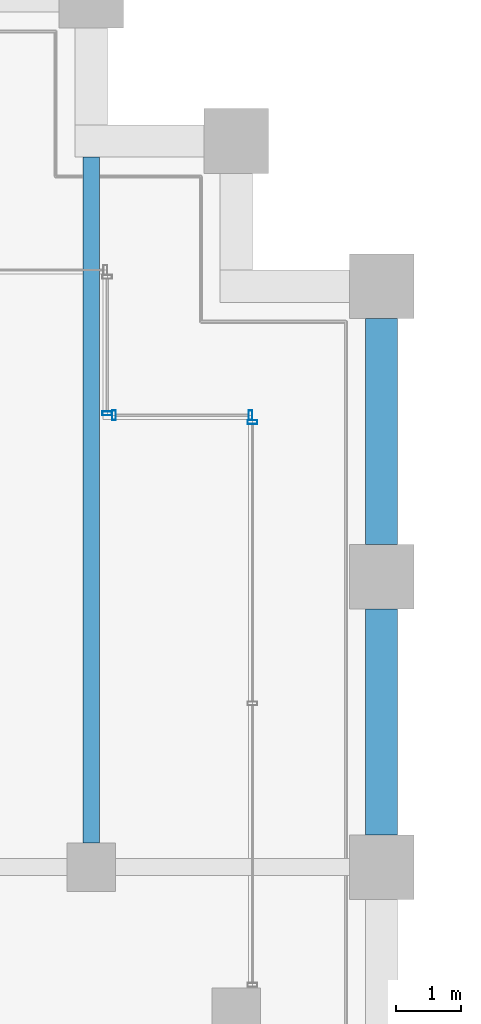
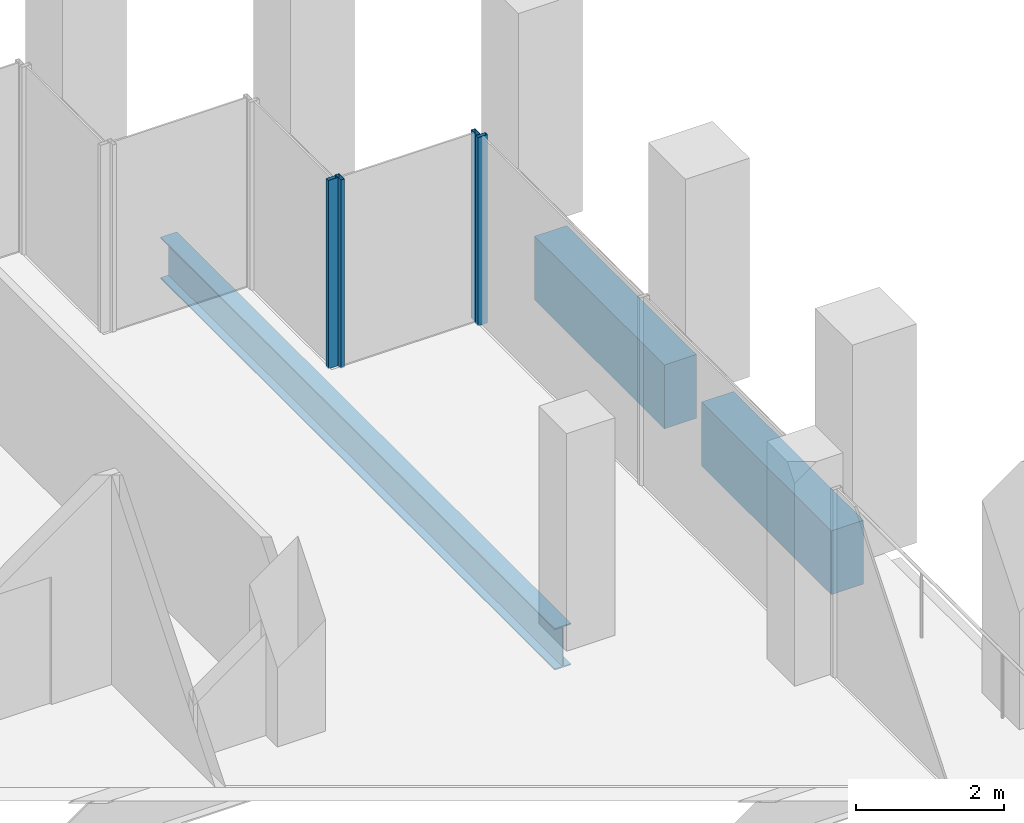
# One storey, part 25 of 46: 4 members, 3 beams, 3 elements without a shape of their own.
"""IFC4 building model written with IfcOpenShell, lengths in metres."""

from ifc_helpers import new_model, si_unit, direction, frame, origin, origin_2d, place, context, subcontext, project, spatial, rectangle, hollow_rectangle, i_section, extrude, material, material_profile, profile_set, type_object, element, aggregate, save


model = new_model("IFC4")

# Units and contexts
model_context = context("Model", 3, precision=1e-05, world=origin(), true_north=direction((0.0, 1.0)))
body_context = subcontext(model_context, "Body", "Model", "MODEL_VIEW")
ifc_project = project(units=[si_unit("LENGTHUNIT", "METRE"), si_unit("AREAUNIT", "SQUARE_METRE"), si_unit("VOLUMEUNIT", "CUBIC_METRE"), si_unit("PLANEANGLEUNIT", "RADIAN"), si_unit("MASSUNIT", "GRAM", prefix="KILO")], contexts=[model_context])

# Site, building, storey
site_placement = place(None, origin())
site = spatial("IfcSite", under=ifc_project, at=site_placement, CompositionType="ELEMENT")
building_placement = place(site_placement, origin())
building = spatial("IfcBuilding", under=site, at=building_placement, Name="Altepetl Exchange Towers", CompositionType="ELEMENT")
storey_placement = place(building_placement, frame((0.0, 0.0, 120.800048828125)))
storey = spatial("IfcBuildingStorey", under=building, at=storey_placement, Name="L29", CompositionType="ELEMENT", Elevation=120.800048828125)

# Beam
ifc_material_1 = material(Name="Steel S355", Category="steel")
ifc_material_profile_1 = material_profile(ifc_material_1, i_section(OverallWidth=0.25390625, OverallDepth=0.68408203125, WebThickness=0.012451171875, FlangeThickness=0.018798828125, at=origin_2d()), Name="W27X94")
ifc_profile_set_1 = profile_set([ifc_material_profile_1], Name="Steel S355")
beam_type_1 = type_object("IfcBeamType", Name="Floor beam W27X94", PredefinedType="BEAM", material=ifc_profile_set_1)
beam_placement = place(storey_placement, frame((67.5, 58.875, -0.491943359375), z_axis=(0.0, 1.0, 0.0), x_axis=(-1.0, 0.0, 0.0)))
element("IfcBeam", 1, at=beam_placement, inside=storey, type_object=beam_type_1, Name="bm:A:L29:005", PredefinedType="BEAM", context=body_context, shape_type="SweptSolid", body=[
    extrude(i_section(OverallWidth=0.25390625, OverallDepth=0.68408203125, WebThickness=0.012451171875, FlangeThickness=0.018798828125, at=origin_2d()), origin(), (0.0, 0.0, 1.0), 10.625),
])

# Curtain wall, member
ifc_material_2 = material(Name="Aluminium 6063-T6 glazing", Category="aluminium")
curtain_wall_type = type_object("IfcCurtainWallType", Name="Loggia glazing system", PredefinedType="NOTDEFINED", material=ifc_material_2)
curtain_wall_1_placement = place(storey_placement, origin())
curtain_wall_1 = element("IfcCurtainWall", 2, at=curtain_wall_1_placement, inside=storey, type_object=curtain_wall_type, Name="CW1 run", PredefinedType="NOTDEFINED")
ifc_material_3 = material(Name="Aluminium 6063-T6", Category="aluminium")
ifc_material_profile_2 = material_profile(ifc_material_3, hollow_rectangle(XDim=0.06005859375, YDim=0.14990234375, WallThickness=0.0029296875, at=origin_2d()), Name="Mullion 60x150 aluminium")
ifc_profile_set_2 = profile_set([ifc_material_profile_2], Name="Aluminium 6063-T6")
member_type = type_object("IfcMemberType", Name="Mullion 60x150 aluminium", PredefinedType="MULLION", material=ifc_profile_set_2)
member_1_placement = place(storey_placement, frame((70.0, 65.39501953125, 0.0), z_axis=(0.0, 0.0, 1.0), x_axis=(0.0, 1.0, 0.0)))
member_1 = element("IfcMember", 3, at=member_1_placement, type_object=member_type, Name="MU1 mullion", PredefinedType="MULLION", context=body_context, shape_type="SweptSolid", body=[
    extrude(hollow_rectangle(XDim=0.06005859375, YDim=0.14990234375, WallThickness=0.0029296875, at=origin_2d()), origin(), (0.0, 0.0, 1.0), 3.099853515625),
])
aggregate(curtain_wall_1, [member_1])

# Curtain wall, members
curtain_wall_2_placement = place(storey_placement, origin())
curtain_wall_2 = element("IfcCurtainWall", 4, at=curtain_wall_2_placement, inside=storey, type_object=curtain_wall_type, Name="CW1 run", PredefinedType="NOTDEFINED")
member_2_placement = place(storey_placement, frame((69.969970703125, 65.5, 0.0), z_axis=(0.0, 0.0, 1.0), x_axis=(-1.0, 0.0, 0.0)))
member_2 = element("IfcMember", 5, at=member_2_placement, type_object=member_type, Name="MU1 mullion", PredefinedType="MULLION", context=body_context, shape_type="SweptSolid", body=[
    extrude(hollow_rectangle(XDim=0.06005859375, YDim=0.14990234375, WallThickness=0.0029296875, at=origin_2d()), origin(), (0.0, 0.0, 1.0), 3.099853515625),
])
member_3_placement = place(storey_placement, frame((67.85498046875, 65.5, 0.0), z_axis=(0.0, 0.0, 1.0), x_axis=(-1.0, 0.0, 0.0)))
member_3 = element("IfcMember", 6, at=member_3_placement, type_object=member_type, Name="MU1 mullion", PredefinedType="MULLION", context=body_context, shape_type="SweptSolid", body=[
    extrude(hollow_rectangle(XDim=0.06005859375, YDim=0.14990234375, WallThickness=0.0029296875, at=origin_2d()), origin(), (0.0, 0.0, 1.0), 3.099853515625),
])
aggregate(curtain_wall_2, [member_2, member_3])

# Curtain wall, member
curtain_wall_3_placement = place(storey_placement, origin())
curtain_wall_3 = element("IfcCurtainWall", 7, at=curtain_wall_3_placement, inside=storey, type_object=curtain_wall_type, Name="CW1 run", PredefinedType="NOTDEFINED")
member_4_placement = place(storey_placement, frame((67.75, 65.530029296875, 0.0), z_axis=(0.0, 0.0, 1.0), x_axis=(0.0, 1.0, 0.0)))
member_4 = element("IfcMember", 8, at=member_4_placement, type_object=member_type, Name="MU1 mullion", PredefinedType="MULLION", context=body_context, shape_type="SweptSolid", body=[
    extrude(hollow_rectangle(XDim=0.06005859375, YDim=0.14990234375, WallThickness=0.0029296875, at=origin_2d()), origin(), (0.0, 0.0, 1.0), 3.099853515625),
])
aggregate(curtain_wall_3, [member_4])

# Beams
ifc_material_4 = material(Name="Concrete C50/60 precast with cantera rosa facing", Category="concrete")
ifc_material_profile_3 = material_profile(ifc_material_4, rectangle(XDim=0.5, YDim=1.050048828125, at=origin_2d()), Name="500 x 1050")
ifc_profile_set_3 = profile_set([ifc_material_profile_3], Name="Concrete C50/60 precast with cantera rosa facing")
beam_type_2 = type_object("IfcBeamType", Name="Spandrel beam 500x1050 cantera rosa", PredefinedType="SPANDREL", material=ifc_profile_set_3)
for number, where, z_axis, x_axis, name in (
    (9, (72.0, 59.0, -0.675048828125), (0.0, 1.0, 0.0), (-1.0, 0.0, 0.0), "sp:A:L29:018"),
    (10, (72.0, 63.5, -0.675048828125), (0.0, 1.0, 0.0), (-1.0, 0.0, 0.0), "sp:A:L29:019"),
):
    element("IfcBeam", number, at=place(storey_placement, frame(where, z_axis=z_axis, x_axis=x_axis)), inside=storey, type_object=beam_type_2, Name=name, PredefinedType="SPANDREL", context=body_context, shape_type="SweptSolid", body=[
        extrude(rectangle(XDim=0.5, YDim=1.050048828125, at=origin_2d()), origin(), (0.0, 0.0, 1.0), 3.5),
    ])

save(model, "model.ifc")
